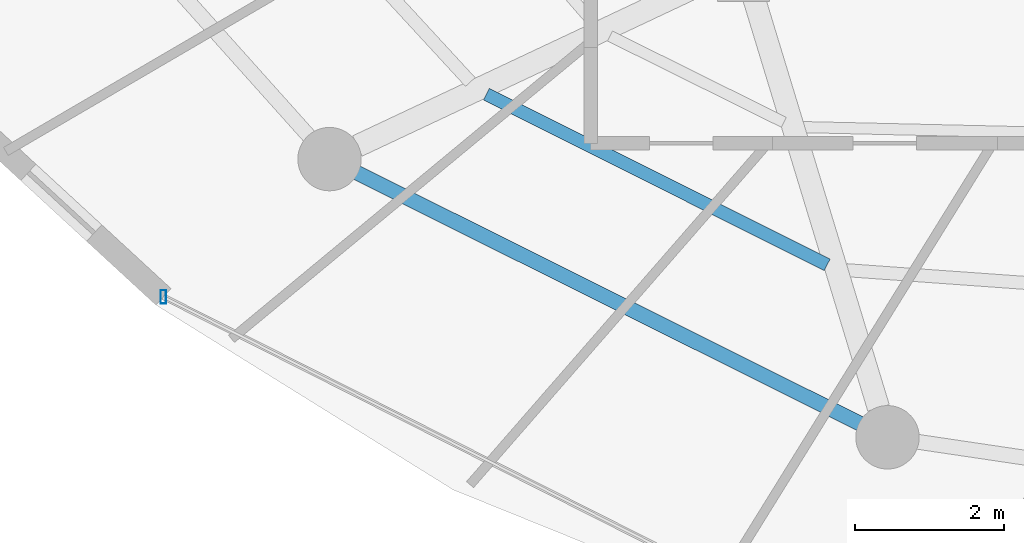
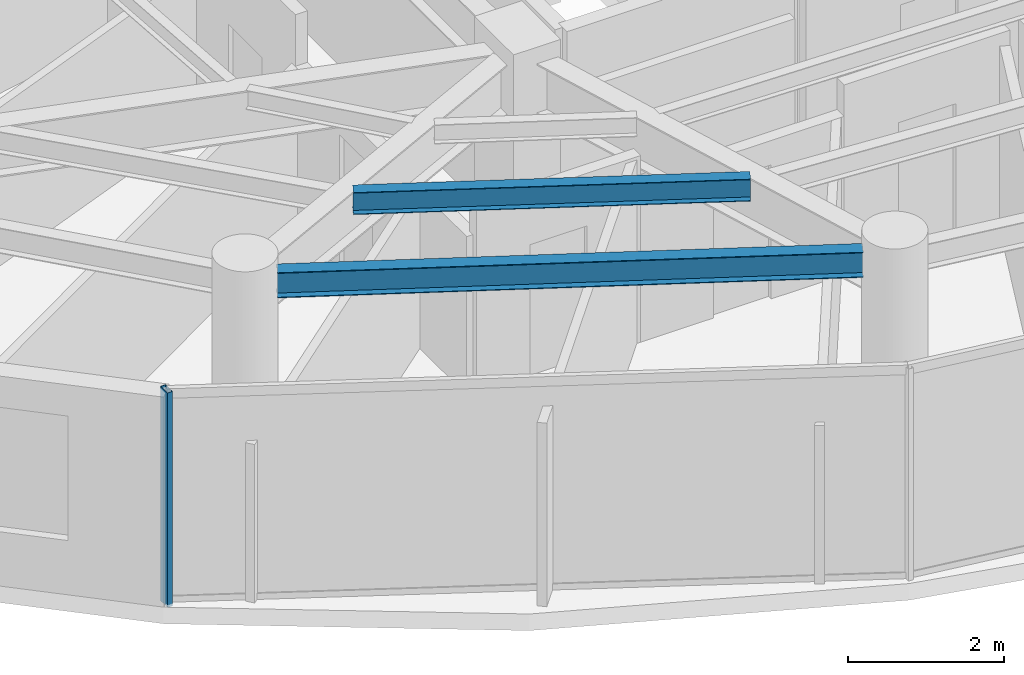
# One storey, part 2 of 30: 2 beams, 1 member, 1 element without a shape of its own.
"""IFC4 building model written with IfcOpenShell, lengths in metres."""

from ifc_helpers import new_model, si_unit, direction, frame, origin, origin_2d, place, context, subcontext, project, spatial, hollow_rectangle, i_section, extrude, material, material_profile, profile_set, type_object, element, aggregate, save


model = new_model("IFC4")

# Units and contexts
model_context = context("Model", 3, precision=1e-05, world=origin(), true_north=direction((0.0, 1.0)))
body_context = subcontext(model_context, "Body", "Model", "MODEL_VIEW")
ifc_project = project(units=[si_unit("LENGTHUNIT", "METRE"), si_unit("AREAUNIT", "SQUARE_METRE"), si_unit("VOLUMEUNIT", "CUBIC_METRE"), si_unit("PLANEANGLEUNIT", "RADIAN"), si_unit("MASSUNIT", "GRAM", prefix="KILO")], contexts=[model_context])

# Site, building, storey
site_placement = place(None, origin())
site = spatial("IfcSite", under=ifc_project, at=site_placement, CompositionType="ELEMENT")
building_placement = place(site_placement, origin())
building = spatial("IfcBuilding", under=site, at=building_placement, Name="Vorneva Point Tower", CompositionType="ELEMENT")
storey_placement = place(building_placement, frame((0.0, 0.0, 234.25)))
storey = spatial("IfcBuildingStorey", under=building, at=storey_placement, Name="L63", CompositionType="ELEMENT", Elevation=234.25)

# Beams
ifc_material_1 = material(Name="Steel S355", Category="steel")
ifc_material_profile_1 = material_profile(ifc_material_1, i_section(OverallWidth=0.174072265625, OverallDepth=0.345947265625, WebThickness=0.006103515625, FlangeThickness=0.009033203125, at=origin_2d()), Name="35B1")
ifc_profile_set_1 = profile_set([ifc_material_profile_1], Name="Steel S355")
beam_type_1 = type_object("IfcBeamType", Name="BM-SEC-35B1", PredefinedType="BEAM", material=ifc_profile_set_1)
beam_1_placement = place(storey_placement, frame((23.8046875, 14.7080078125, 3.116943359375), z_axis=(0.894121037804, -0.447825378643, 0.0), x_axis=(0.447825378643, 0.894121037804, 0.0)))
element("IfcBeam", 1, at=beam_1_placement, inside=storey, type_object=beam_type_1, Name="L63 Secondary Floor Beam 1.11", PredefinedType="BEAM", context=body_context, shape_type="SweptSolid", body=[
    extrude(i_section(OverallWidth=0.174072265625, OverallDepth=0.345947265625, WebThickness=0.006103515625, FlangeThickness=0.009033203125, at=origin_2d()), origin(), (0.0, 0.0, 1.0), 5.107177734375),
])
ifc_material_profile_2 = material_profile(ifc_material_1, i_section(OverallWidth=0.198974609375, OverallDepth=0.39599609375, WebThickness=0.007080078125, FlangeThickness=0.010986328125, at=origin_2d()), Name="40B1")
ifc_profile_set_2 = profile_set([ifc_material_profile_2], Name="Steel S355")
beam_type_2 = type_object("IfcBeamType", Name="BM-SPN-40B1", PredefinedType="SPANDREL", material=ifc_profile_set_2)
beam_2_placement = place(storey_placement, frame((22.068115234375, 13.65478515625, 3.092041015625), z_axis=(0.894932011528, -0.446202526599, 0.0), x_axis=(0.446202526599, 0.894932011528, 0.0)))
element("IfcBeam", 2, at=beam_2_placement, inside=storey, type_object=beam_type_2, Name="L63 Perimeter Spandrel Ring Beam 11", PredefinedType="SPANDREL", context=body_context, shape_type="SweptSolid", body=[
    extrude(i_section(OverallWidth=0.198974609375, OverallDepth=0.39599609375, WebThickness=0.007080078125, FlangeThickness=0.010986328125, at=origin_2d()), origin(), (0.0, 0.0, 1.0), 7.535888671875),
])

# Curtain wall, member
ifc_material_2 = material(Name="Pale anodised aluminium", Category="aluminium")
curtain_wall_type = type_object("IfcCurtainWallType", Name="CW-RES-SYS", PredefinedType="NOTDEFINED", material=ifc_material_2)
curtain_wall_placement = place(storey_placement, origin())
curtain_wall = element("IfcCurtainWall", 3, at=curtain_wall_placement, inside=storey, type_object=curtain_wall_type, Name="L63 Unitised Curtain Wall CW-L63-R04", PredefinedType="NOTDEFINED")
ifc_material_profile_3 = material_profile(ifc_material_2, hollow_rectangle(XDim=0.074951171875, YDim=0.179931640625, WallThickness=0.00390625, at=origin_2d()), Name="AL-MUL 180x75x4")
ifc_profile_set_3 = profile_set([ifc_material_profile_3], Name="Pale anodised aluminium")
member_type = type_object("IfcMemberType", Name="CW-MUL-180", PredefinedType="MULLION", material=ifc_profile_set_3)
member_placement = place(storey_placement, frame((19.473876953125, 11.9921875, -0.0400390625), z_axis=(0.0, 0.0, 1.0), x_axis=(1.0, 0.0, 0.0)))
member = element("IfcMember", 4, at=member_placement, type_object=member_type, Name="CW-L63-R04 Mullion 01", PredefinedType="MULLION", context=body_context, shape_type="SweptSolid", body=[
    extrude(hollow_rectangle(XDim=0.074951171875, YDim=0.179931640625, WallThickness=0.00390625, at=origin_2d()), origin(), (0.0, 0.0, 1.0), 3.360107421875),
])
aggregate(curtain_wall, [member])

save(model, "model.ifc")
